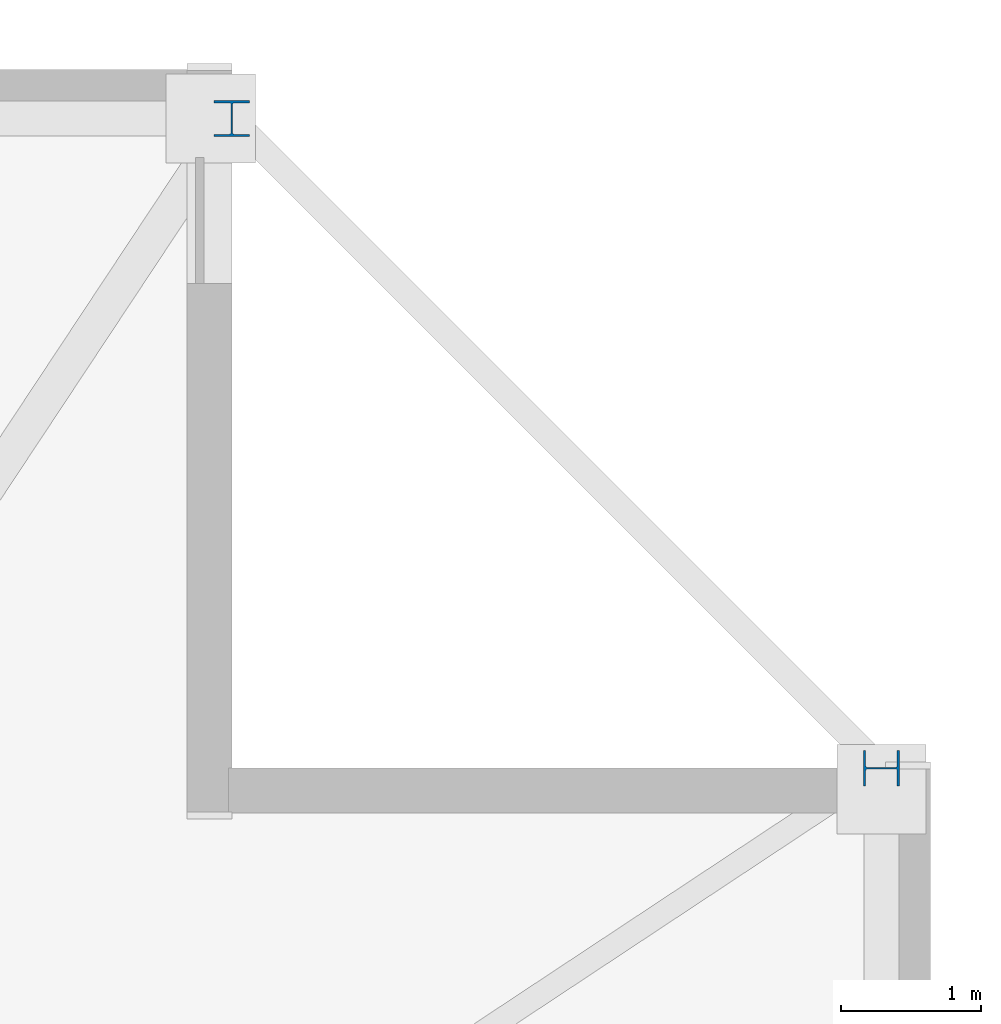
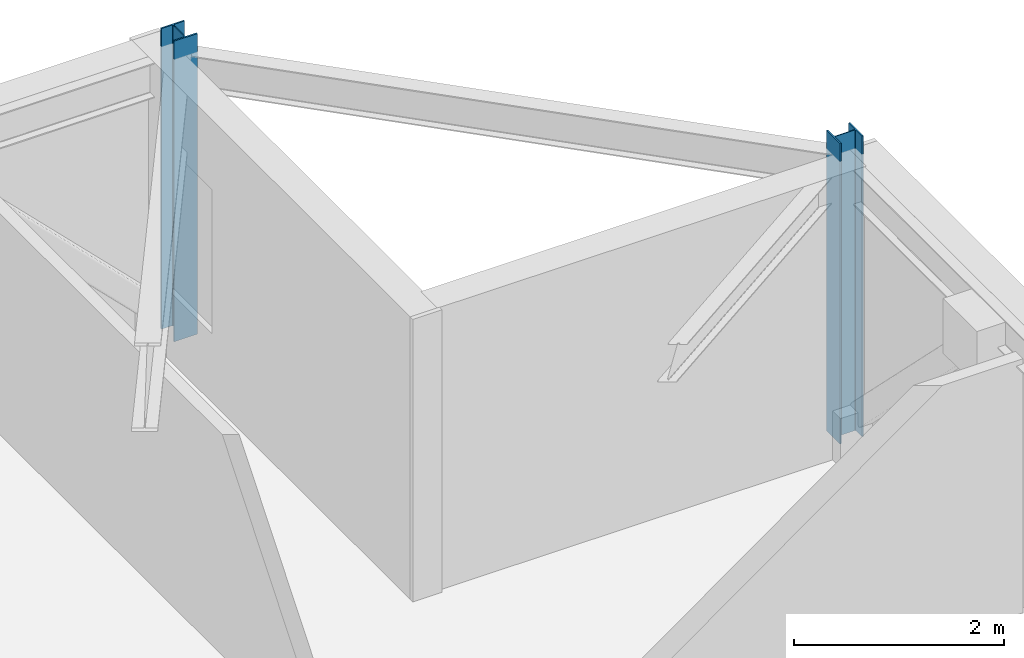
# One storey, part 5 of 17: 2 columns.
"""IFC4 building model written with IfcOpenShell, lengths in metres."""

from ifc_helpers import new_model, si_unit, direction, frame, origin, origin_2d, place, context, subcontext, project, spatial, i_section, extrude, material, material_profile, profile_set, type_object, element, save


model = new_model("IFC4")

# Units and contexts
model_context = context("Model", 3, precision=1e-05, world=origin(), true_north=direction((0.0, 1.0)))
body_context = subcontext(model_context, "Body", "Model", "MODEL_VIEW")
ifc_project = project(units=[si_unit("LENGTHUNIT", "METRE"), si_unit("AREAUNIT", "SQUARE_METRE"), si_unit("VOLUMEUNIT", "CUBIC_METRE"), si_unit("PLANEANGLEUNIT", "RADIAN"), si_unit("MASSUNIT", "GRAM", prefix="KILO")], contexts=[model_context])

# Site, building, storey
site_placement = place(None, origin())
site = spatial("IfcSite", under=ifc_project, at=site_placement, CompositionType="ELEMENT")
building_placement = place(site_placement, origin())
building = spatial("IfcBuilding", under=site, at=building_placement, Name="Cairnveth Concourse Tower", CompositionType="ELEMENT")
storey_placement = place(building_placement, frame((0.0, 0.0, 213.0)))
storey = spatial("IfcBuildingStorey", under=building, at=storey_placement, Name="L58", CompositionType="ELEMENT", Elevation=213.0)

# Columns
ifc_material = material(Name="Steel Grade 350", Category="steel")
ifc_material_profile = material_profile(ifc_material, i_section(OverallWidth=0.256103515625, OverallDepth=0.260009765625, WebThickness=0.010498046875, FlangeThickness=0.017333984375, FilletRadius=0.012939453125, at=origin_2d()), Name="250UC89.5")
ifc_profile_set = profile_set([ifc_material_profile], Name="Steel Grade 350")
column_type = type_object("IfcColumnType", Name="UNIVERSAL STEEL COLUMN 250UC89.5", PredefinedType="COLUMN", material=ifc_profile_set)
for number, where, z_axis, x_axis, name in (
    (1, (74.14990234375, 56.5, 0.0), (0.0, 0.0, 1.0), (0.0, 1.0, 0.0), "Column P-E4 L58"),
    (2, (69.5, 61.14990234375, 0.0), (0.0, 0.0, 1.0), (1.0, 0.0, 0.0), "Column P-N1 L58"),
):
    element("IfcColumn", number, at=place(storey_placement, frame(where, z_axis=z_axis, x_axis=x_axis)), inside=storey, type_object=column_type, Name=name, PredefinedType="COLUMN", context=body_context, shape_type="SweptSolid", body=[
        extrude(i_section(OverallWidth=0.256103515625, OverallDepth=0.260009765625, WebThickness=0.010498046875, FlangeThickness=0.017333984375, FilletRadius=0.012939453125, at=origin_2d()), origin(), (0.0, 0.0, 1.0), 3.5),
    ])

save(model, "model.ifc")
